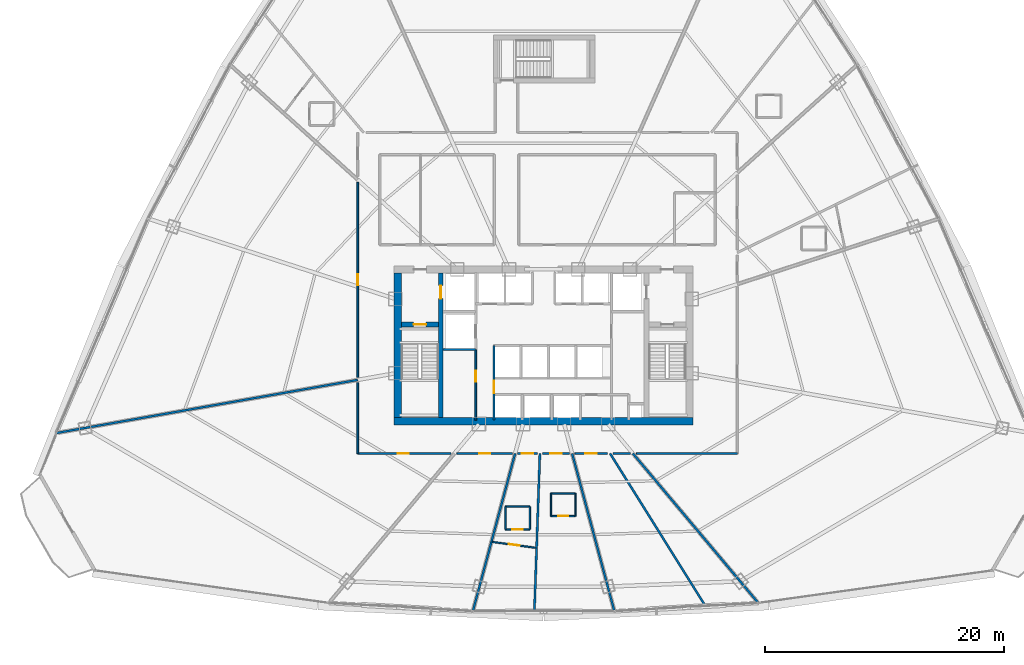
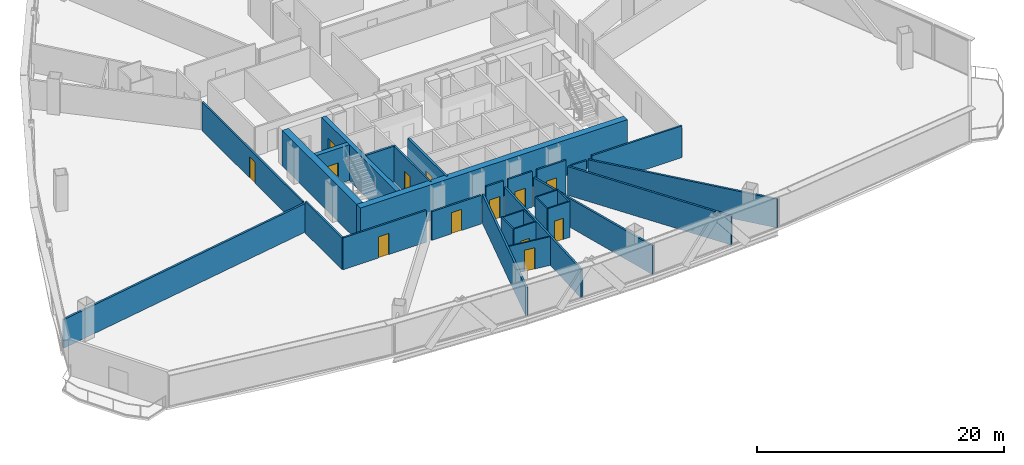
# One storey, part 29 of 37: 31 walls, 13 doors, 13 openings.
"""IFC4 building model written with IfcOpenShell, lengths in metres."""

from ifc_helpers import new_model, si_unit, direction, frame, frame_2d, origin, origin_with_axes, place, context, subcontext, project, spatial, rectangle, extrude, source, transform, mapped, material, layer, layer_set, type_object, element, fill, save


model = new_model("IFC4")

# Units and contexts
model_context = context("Model", 3, precision=1e-05, world=origin(), true_north=direction((0.0, 1.0)))
body_context = subcontext(model_context, "Body", "Model", "MODEL_VIEW")
ifc_project = project(units=[si_unit("LENGTHUNIT", "METRE"), si_unit("AREAUNIT", "SQUARE_METRE"), si_unit("VOLUMEUNIT", "CUBIC_METRE"), si_unit("PLANEANGLEUNIT", "RADIAN"), si_unit("MASSUNIT", "GRAM", prefix="KILO"), si_unit("THERMODYNAMICTEMPERATUREUNIT", "KELVIN"), si_unit("POWERUNIT", "WATT")], contexts=[model_context])

# Site, building, storey
site_placement = place(None, origin())
site = spatial("IfcSite", under=ifc_project, at=site_placement, CompositionType="ELEMENT")
building_placement = place(site_placement, origin())
building = spatial("IfcBuilding", under=site, at=building_placement, Name="Yunzhuo Pagoda Commons", CompositionType="ELEMENT")
storey_placement = place(building_placement, frame((0.0, 0.0, 84.97998046875)))
storey = spatial("IfcBuildingStorey", under=building, at=storey_placement, Name="L21", CompositionType="ELEMENT", Elevation=84.97998046875)

# Walls
ifc_material_1 = material(Name="Concrete C60", Category="concrete")
ifc_layer_1 = layer(ifc_material_1, 0.60009765625)
ifc_layer_set_1 = layer_set([ifc_layer_1], Name="Concrete C60")
wall_type_1 = type_object("IfcWallType", Name="W-C02 Mid Core Shear Wall 600", PredefinedType="SHEAR", material=ifc_layer_set_1)
wall_1_placement = place(storey_placement, frame((35.5, 27.5, 0.0), z_axis=(0.0, 0.0, 1.0), x_axis=(1.0, 0.0, 0.0)))
element("IfcWall", 1, at=wall_1_placement, inside=storey, type_object=wall_type_1, Name="L21 core shear wall S", PredefinedType="SHEAR", context=body_context, shape_type="SweptSolid", body=[
    extrude(rectangle(XDim=25.0, YDim=0.60009765625, at=frame_2d((12.5, 0.0))), origin(), (0.0, 0.0, 1.0), 3.5400390625),
])
wall_2_placement = place(storey_placement, frame((35.800048828125, 27.800048828125, 0.0), z_axis=(0.0, 0.0, 1.0), x_axis=(0.0, 1.0, 0.0)))
element("IfcWall", 2, at=wall_2_placement, inside=storey, type_object=wall_type_1, Name="L21 core shear wall W", PredefinedType="SHEAR", context=body_context, shape_type="SweptSolid", body=[
    extrude(rectangle(XDim=12.099853515625, YDim=0.60009765625, at=frame_2d((6.0498046875, 0.0))), origin(), (0.0, 0.0, 1.0), 3.5400390625),
])

# Wall, opening, door
ifc_material_2 = material(Name="Gypsum plasterboard on acoustic stud")
ifc_layer_2 = layer(ifc_material_2, 0.159912109375)
ifc_layer_set_2 = layer_set([ifc_layer_2], Name="Gypsum plasterboard on acoustic stud")
wall_type_2 = type_object("IfcWallType", Name="W-COR1 Tower Rated Corridor Wall 160", PredefinedType="PARTITIONING", material=ifc_layer_set_2)
wall_3_placement = place(storey_placement, frame((42.320068359375, 27.60009765625, 0.0), z_axis=(0.0, 0.0, 1.0), x_axis=(0.0, 1.0, 0.0)))
wall_3 = element("IfcWall", 3, at=wall_3_placement, inside=storey, type_object=wall_type_2, Name="L21 interior wall IW-L21-CSWE", PredefinedType="PARTITIONING", context=body_context, shape_type="SweptSolid", body=[
    extrude(rectangle(XDim=5.89990234375, YDim=0.159912109375, at=frame_2d((2.949951171875, 0.0))), origin(), (0.0, 0.0, 1.0), 3.5400390625),
])
opening_1_placement = place(wall_3_placement, frame((3.199951171875, 0.0, 0.0)))
opening_1 = element("IfcOpeningElement", 4, at=opening_1_placement, cuts=wall_3, Name="Opening D-11", PredefinedType="OPENING", context=body_context, shape_type="SweptSolid", body=[
    extrude(rectangle(XDim=0.93994140625, YDim=2.10009765625, at=frame_2d((0.469970703125, 1.050048828125))), frame((0.0, 0.08984375, 0.0), z_axis=(0.0, -1.0, 0.0), x_axis=(1.0, 0.0, 0.0)), (0.0, 0.0, 1.0), 0.179931640625),
])
ifc_material_3 = material(Name="Galvanized fire-resisting metal leaf")
door_type_1 = type_object("IfcDoorType", Name="D-11 Accessible Washroom Fire Door 940x2100", OperationType="NOTDEFINED", PredefinedType="DOOR", material=ifc_material_3)
shared_shape_1 = source(origin(), body_context, "Body", "SweptSolid", [
    extrude(rectangle(XDim=0.93994140625, YDim=2.10009765625, at=frame_2d((0.469970703125, 1.050048828125))), frame((0.0, 0.02490234375, 0.0), z_axis=(0.0, -1.0, 0.0), x_axis=(1.0, 0.0, 0.0)), (0.0, 0.0, 1.0), 0.050048828125),
])
door_1_placement = place(opening_1_placement, origin_with_axes())
door_1 = element("IfcDoor", 5, at=door_1_placement, inside=storey, type_object=door_type_1, Name="L21 core WC door", OperationType="SINGLE_SWING_LEFT", OverallHeight=2.10009765625, OverallWidth=0.93994140625, PredefinedType="DOOR", context=body_context, shape_type="MappedRepresentation", body=[
    mapped(shared_shape_1, transform((0.0, 0.0, 0.0), scale=1.0)),
])
fill(opening_1, door_1)

# Wall
wall_4_placement = place(storey_placement, frame((32.449951171875, 24.800048828125, 0.0), z_axis=(0.0, 0.0, 1.0), x_axis=(0.0, 1.0, 0.0)))
element("IfcWall", 6, at=wall_4_placement, inside=storey, type_object=wall_type_2, Name="L21 interior wall IW-L21-CWL01", PredefinedType="PARTITIONING", context=body_context, shape_type="SweptSolid", body=[
    extrude(rectangle(XDim=5.9345703125, YDim=0.159912109375, at=frame_2d((2.96728515625, 0.0))), origin(), (0.0, 0.0, 1.0), 3.14013671875),
])

# Wall, opening, door
wall_5_placement = place(storey_placement, frame((32.449951171875, 31.177978515625, 0.0), z_axis=(0.0, 0.0, 1.0), x_axis=(0.0, 1.0, 0.0)))
wall_5 = element("IfcWall", 7, at=wall_5_placement, inside=storey, type_object=wall_type_2, Name="L21 interior wall IW-L21-CWL02", PredefinedType="PARTITIONING", context=body_context, shape_type="SweptSolid", body=[
    extrude(rectangle(XDim=16.3037109375, YDim=0.159912109375, at=frame_2d((8.15185546875, 0.0))), origin(), (0.0, 0.0, 1.0), 2.840087890625),
])
opening_2_placement = place(wall_5_placement, frame((7.6767578125, 0.0, 0.0)))
opening_2 = element("IfcOpeningElement", 8, at=opening_2_placement, cuts=wall_5, Name="Opening D-06", PredefinedType="OPENING", context=body_context, shape_type="SweptSolid", body=[
    extrude(rectangle(XDim=0.949951171875, YDim=2.10009765625, at=frame_2d((0.47509765625, 1.050048828125))), frame((0.0, 0.08984375, 0.0), z_axis=(0.0, -1.0, 0.0), x_axis=(1.0, 0.0, 0.0)), (0.0, 0.0, 1.0), 0.179931640625),
])
door_type_2 = type_object("IfcDoorType", Name="D-06 Co-Living Suite Entrance Fire Door 950x2100", OperationType="NOTDEFINED", PredefinedType="DOOR", material=ifc_material_3)
shared_shape_2 = source(origin(), body_context, "Body", "SweptSolid", [
    extrude(rectangle(XDim=0.949951171875, YDim=2.10009765625, at=frame_2d((0.47509765625, 1.050048828125))), frame((0.0, 0.02490234375, 0.0), z_axis=(0.0, -1.0, 0.0), x_axis=(1.0, 0.0, 0.0)), (0.0, 0.0, 1.0), 0.050048828125),
])
door_2_placement = place(opening_2_placement, origin_with_axes())
door_2 = element("IfcDoor", 9, at=door_2_placement, inside=storey, type_object=door_type_2, Name="L21 Shared Resident Kitchen and Pantry door", OperationType="SINGLE_SWING_RIGHT", OverallHeight=2.10009765625, OverallWidth=0.949951171875, PredefinedType="DOOR", context=body_context, shape_type="MappedRepresentation", body=[
    mapped(shared_shape_2, transform((0.0, 0.0, 0.0), scale=1.0)),
])
fill(opening_2, door_2)

# Walls
wall_6_placement = place(storey_placement, frame((64.199951171875, 24.800048828125, 0.0), z_axis=(0.0, 0.0, 1.0), x_axis=(-1.0, 0.0, 0.0)))
element("IfcWall", 10, at=wall_6_placement, inside=storey, type_object=wall_type_2, Name="L21 interior wall IW-L21-CWL15", PredefinedType="PARTITIONING", context=body_context, shape_type="SweptSolid", body=[
    extrude(rectangle(XDim=8.44482421875, YDim=0.159912109375, at=frame_2d((4.222412109375, 0.0))), origin(), (0.0, 0.0, 1.0), 3.14013671875),
])
wall_7_placement = place(storey_placement, frame((55.248046875, 24.800048828125, 0.0), z_axis=(0.0, 0.0, 1.0), x_axis=(-1.0, 0.0, 0.0)))
element("IfcWall", 11, at=wall_7_placement, inside=storey, type_object=wall_type_2, Name="L21 interior wall IW-L21-CWL16", PredefinedType="PARTITIONING", context=body_context, shape_type="SweptSolid", body=[
    extrude(rectangle(XDim=1.42724609375, YDim=0.159912109375, at=frame_2d((0.713623046875, 0.0))), origin(), (0.0, 0.0, 1.0), 2.840087890625),
])

# Wall, opening, door
wall_8_placement = place(storey_placement, frame((53.341552734375, 24.800048828125, 0.0), z_axis=(0.0, 0.0, 1.0), x_axis=(-1.0, 0.0, 0.0)))
wall_8 = element("IfcWall", 12, at=wall_8_placement, inside=storey, type_object=wall_type_2, Name="L21 interior wall IW-L21-CWL17", PredefinedType="PARTITIONING", context=body_context, shape_type="SweptSolid", body=[
    extrude(rectangle(XDim=2.72900390625, YDim=0.159912109375, at=frame_2d((1.364501953125, 0.0))), origin(), (0.0, 0.0, 1.0), 3.5400390625),
])
opening_3_placement = place(wall_8_placement, frame((0.8935546875, 0.0, 0.0)))
opening_3 = element("IfcOpeningElement", 13, at=opening_3_placement, cuts=wall_8, Name="Opening D-06", PredefinedType="OPENING", context=body_context, shape_type="SweptSolid", body=[
    extrude(rectangle(XDim=0.949951171875, YDim=2.10009765625, at=frame_2d((0.47509765625, 1.050048828125))), frame((0.0, 0.08984375, 0.0), z_axis=(0.0, -1.0, 0.0), x_axis=(1.0, 0.0, 0.0)), (0.0, 0.0, 1.0), 0.179931640625),
])
door_3_placement = place(opening_3_placement, origin_with_axes())
door_3 = element("IfcDoor", 14, at=door_3_placement, inside=storey, type_object=door_type_2, Name="L21 unit 13 entrance door", OperationType="SINGLE_SWING_LEFT", OverallHeight=2.10009765625, OverallWidth=0.949951171875, PredefinedType="DOOR", context=body_context, shape_type="MappedRepresentation", body=[
    mapped(shared_shape_2, transform((0.0, 0.0, 0.0), scale=1.0)),
])
fill(opening_3, door_3)

wall_9_placement = place(storey_placement, frame((50.164794921875, 24.800048828125, 0.0), z_axis=(0.0, 0.0, 1.0), x_axis=(-1.0, 0.0, 0.0)))
wall_9 = element("IfcWall", 15, at=wall_9_placement, inside=storey, type_object=wall_type_2, Name="L21 interior wall IW-L21-CWL18", PredefinedType="PARTITIONING", context=body_context, shape_type="SweptSolid", body=[
    extrude(rectangle(XDim=2.255859375, YDim=0.159912109375, at=frame_2d((1.1279296875, 0.0))), origin(), (0.0, 0.0, 1.0), 3.5400390625),
])
opening_4_placement = place(wall_9_placement, frame((0.65283203125, 0.0, 0.0)))
opening_4 = element("IfcOpeningElement", 16, at=opening_4_placement, cuts=wall_9, Name="Opening D-06", PredefinedType="OPENING", context=body_context, shape_type="SweptSolid", body=[
    extrude(rectangle(XDim=0.949951171875, YDim=2.10009765625, at=frame_2d((0.47509765625, 1.050048828125))), frame((0.0, 0.08984375, 0.0), z_axis=(0.0, -1.0, 0.0), x_axis=(1.0, 0.0, 0.0)), (0.0, 0.0, 1.0), 0.179931640625),
])
door_4_placement = place(opening_4_placement, origin_with_axes())
door_4 = element("IfcDoor", 17, at=door_4_placement, inside=storey, type_object=door_type_2, Name="L21 unit 12 entrance door", OperationType="SINGLE_SWING_RIGHT", OverallHeight=2.10009765625, OverallWidth=0.949951171875, PredefinedType="DOOR", context=body_context, shape_type="MappedRepresentation", body=[
    mapped(shared_shape_2, transform((0.0, 0.0, 0.0), scale=1.0)),
])
fill(opening_4, door_4)

wall_10_placement = place(storey_placement, frame((47.468994140625, 24.800048828125, 0.0), z_axis=(0.0, 0.0, 1.0), x_axis=(-1.0, 0.0, 0.0)))
wall_10 = element("IfcWall", 18, at=wall_10_placement, inside=storey, type_object=wall_type_2, Name="L21 interior wall IW-L21-CWL19", PredefinedType="PARTITIONING", context=body_context, shape_type="SweptSolid", body=[
    extrude(rectangle(XDim=1.6337890625, YDim=0.159912109375, at=frame_2d((0.81689453125, 0.0))), origin(), (0.0, 0.0, 1.0), 3.5400390625),
])
opening_5_placement = place(wall_10_placement, frame((0.341796875, 0.0, 0.0)))
opening_5 = element("IfcOpeningElement", 19, at=opening_5_placement, cuts=wall_10, Name="Opening D-06", PredefinedType="OPENING", context=body_context, shape_type="SweptSolid", body=[
    extrude(rectangle(XDim=0.949951171875, YDim=2.10009765625, at=frame_2d((0.47509765625, 1.050048828125))), frame((0.0, 0.08984375, 0.0), z_axis=(0.0, -1.0, 0.0), x_axis=(1.0, 0.0, 0.0)), (0.0, 0.0, 1.0), 0.179931640625),
])
door_5_placement = place(opening_5_placement, origin_with_axes())
door_5 = element("IfcDoor", 20, at=door_5_placement, inside=storey, type_object=door_type_2, Name="L21 unit 11 entrance door", OperationType="SINGLE_SWING_LEFT", OverallHeight=2.10009765625, OverallWidth=0.949951171875, PredefinedType="DOOR", context=body_context, shape_type="MappedRepresentation", body=[
    mapped(shared_shape_2, transform((0.0, 0.0, 0.0), scale=1.0)),
])
fill(opening_5, door_5)

wall_11_placement = place(storey_placement, frame((45.387451171875, 24.800048828125, 0.0), z_axis=(0.0, 0.0, 1.0), x_axis=(-1.0, 0.0, 0.0)))
wall_11 = element("IfcWall", 21, at=wall_11_placement, inside=storey, type_object=wall_type_2, Name="L21 interior wall IW-L21-CWL20", PredefinedType="PARTITIONING", context=body_context, shape_type="SweptSolid", body=[
    extrude(rectangle(XDim=4.635498046875, YDim=0.159912109375, at=frame_2d((2.31787109375, 0.0))), origin(), (0.0, 0.0, 1.0), 2.840087890625),
])
opening_6_placement = place(wall_11_placement, frame((1.8388671875, 0.0, 0.0)))
opening_6 = element("IfcOpeningElement", 22, at=opening_6_placement, cuts=wall_11, Name="Opening D-06", PredefinedType="OPENING", context=body_context, shape_type="SweptSolid", body=[
    extrude(rectangle(XDim=0.949951171875, YDim=2.10009765625, at=frame_2d((0.47509765625, 1.050048828125))), frame((0.0, 0.08984375, 0.0), z_axis=(0.0, -1.0, 0.0), x_axis=(1.0, 0.0, 0.0)), (0.0, 0.0, 1.0), 0.179931640625),
])
door_6_placement = place(opening_6_placement, origin_with_axes())
door_6 = element("IfcDoor", 23, at=door_6_placement, inside=storey, type_object=door_type_2, Name="L21 unit 10 entrance door", OperationType="SINGLE_SWING_RIGHT", OverallHeight=2.10009765625, OverallWidth=0.949951171875, PredefinedType="DOOR", context=body_context, shape_type="MappedRepresentation", body=[
    mapped(shared_shape_2, transform((0.0, 0.0, 0.0), scale=1.0)),
])
fill(opening_6, door_6)

wall_12_placement = place(storey_placement, frame((40.244873046875, 24.800048828125, 0.0), z_axis=(0.0, 0.0, 1.0), x_axis=(-1.0, 0.0, 0.0)))
wall_12 = element("IfcWall", 24, at=wall_12_placement, inside=storey, type_object=wall_type_2, Name="L21 interior wall IW-L21-CWL21", PredefinedType="PARTITIONING", context=body_context, shape_type="SweptSolid", body=[
    extrude(rectangle(XDim=7.794921875, YDim=0.159912109375, at=frame_2d((3.8974609375, 0.0))), origin(), (0.0, 0.0, 1.0), 3.14013671875),
])
opening_7_placement = place(wall_12_placement, frame((3.5087890625, 0.0, 0.0)))
opening_7 = element("IfcOpeningElement", 25, at=opening_7_placement, cuts=wall_12, Name="Opening D-06", PredefinedType="OPENING", context=body_context, shape_type="SweptSolid", body=[
    extrude(rectangle(XDim=0.949951171875, YDim=2.10009765625, at=frame_2d((0.47509765625, 1.050048828125))), frame((0.0, 0.08984375, 0.0), z_axis=(0.0, -1.0, 0.0), x_axis=(1.0, 0.0, 0.0)), (0.0, 0.0, 1.0), 0.179931640625),
])
door_7_placement = place(opening_7_placement, origin_with_axes())
door_7 = element("IfcDoor", 26, at=door_7_placement, inside=storey, type_object=door_type_2, Name="L21 unit 09 entrance door", OperationType="SINGLE_SWING_LEFT", OverallHeight=2.10009765625, OverallWidth=0.949951171875, PredefinedType="DOOR", context=body_context, shape_type="MappedRepresentation", body=[
    mapped(shared_shape_2, transform((0.0, 0.0, 0.0), scale=1.0)),
])
fill(opening_7, door_7)

ifc_layer_3 = layer(ifc_material_2, 0.1201171875)
ifc_layer_set_3 = layer_set([ifc_layer_3], Name="Gypsum plasterboard on acoustic stud")
wall_type_3 = type_object("IfcWallType", Name="W-PRT1 Suite & Bathroom Partition 120", PredefinedType="PARTITIONING", material=ifc_layer_set_3)
wall_13_placement = place(storey_placement, frame((44.7958984375, 18.4609375, 0.0), z_axis=(0.0, 0.0, 1.0), x_axis=(1.0, 0.0, 0.0)))
wall_13 = element("IfcWall", 27, at=wall_13_placement, inside=storey, type_object=wall_type_3, Name="L21 interior wall IW-L21-B11S", PredefinedType="PARTITIONING", context=body_context, shape_type="SweptSolid", body=[
    extrude(rectangle(XDim=2.050048828125, YDim=0.1201171875, at=frame_2d((1.02490234375, 0.0))), origin(), (0.0, 0.0, 1.0), 3.5400390625),
])
opening_8_placement = place(wall_13_placement, frame((0.60009765625, 0.0, 0.0)))
opening_8 = element("IfcOpeningElement", 28, at=opening_8_placement, cuts=wall_13, Name="Opening D-05", PredefinedType="OPENING", context=body_context, shape_type="SweptSolid", body=[
    extrude(rectangle(XDim=0.85009765625, YDim=2.10009765625, at=frame_2d((0.425048828125, 1.050048828125))), frame((0.0, 0.070068359375, 0.0), z_axis=(0.0, -1.0, 0.0), x_axis=(1.0, 0.0, 0.0)), (0.0, 0.0, 1.0), 0.14013671875),
])
ifc_material_4 = material(Name="Powder-coated aluminium and timber acoustic leaf", Category="wood")
door_type_3 = type_object("IfcDoorType", Name="D-05 En-Suite Bathroom Door 850x2100", OperationType="NOTDEFINED", PredefinedType="DOOR", material=ifc_material_4)
shared_shape_3 = source(origin(), body_context, "Body", "SweptSolid", [
    extrude(rectangle(XDim=0.85009765625, YDim=2.10009765625, at=frame_2d((0.425048828125, 1.050048828125))), frame((0.0, 0.02490234375, 0.0), z_axis=(0.0, -1.0, 0.0), x_axis=(1.0, 0.0, 0.0)), (0.0, 0.0, 1.0), 0.050048828125),
])
door_8_placement = place(opening_8_placement, frame((0.85009765625, 0.0, 0.0), z_axis=(0.0, 0.0, 1.0), x_axis=(-1.0, 0.0, 0.0)))
door_8 = element("IfcDoor", 29, at=door_8_placement, inside=storey, type_object=door_type_3, Name="L21 unit 11 bathroom door", OperationType="SINGLE_SWING_LEFT", OverallHeight=2.10009765625, OverallWidth=0.85009765625, PredefinedType="DOOR", context=body_context, shape_type="MappedRepresentation", body=[
    mapped(shared_shape_3, transform((0.0, 0.0, 0.0), scale=1.0)),
])
fill(opening_8, door_8)

# Walls
wall_14_placement = place(storey_placement, frame((46.845947265625, 18.4609375, 0.0), z_axis=(0.0, 0.0, 1.0), x_axis=(0.0, 1.0, 0.0)))
element("IfcWall", 30, at=wall_14_placement, inside=storey, type_object=wall_type_3, Name="L21 interior wall IW-L21-B11E", PredefinedType="PARTITIONING", context=body_context, shape_type="SweptSolid", body=[
    extrude(rectangle(XDim=1.900146484375, YDim=0.1201171875, at=frame_2d((0.9501953125, 0.0))), origin(), (0.0, 0.0, 1.0), 3.5400390625),
])
wall_15_placement = place(storey_placement, frame((46.845947265625, 20.361083984375, 0.0), z_axis=(0.0, 0.0, 1.0), x_axis=(-1.0, 0.0, 0.0)))
element("IfcWall", 31, at=wall_15_placement, inside=storey, type_object=wall_type_3, Name="L21 interior wall IW-L21-B11N", PredefinedType="PARTITIONING", context=body_context, shape_type="SweptSolid", body=[
    extrude(rectangle(XDim=2.050048828125, YDim=0.1201171875, at=frame_2d((1.02490234375, 0.0))), origin(), (0.0, 0.0, 1.0), 3.5400390625),
])
wall_16_placement = place(storey_placement, frame((44.7958984375, 20.361083984375, 0.0), z_axis=(0.0, 0.0, 1.0), x_axis=(0.0, -1.0, 0.0)))
element("IfcWall", 32, at=wall_16_placement, inside=storey, type_object=wall_type_3, Name="L21 interior wall IW-L21-B11W", PredefinedType="PARTITIONING", context=body_context, shape_type="SweptSolid", body=[
    extrude(rectangle(XDim=1.900146484375, YDim=0.1201171875, at=frame_2d((0.9501953125, 0.0))), origin(), (0.0, 0.0, 1.0), 3.5400390625),
])

# Wall, opening, door
wall_17_placement = place(storey_placement, frame((43.69580078125, 17.405029296875, 0.0), z_axis=(0.0, 0.0, 1.0), x_axis=(0.99099005791, -0.133935451329, 0.0)))
wall_17 = element("IfcWall", 33, at=wall_17_placement, inside=storey, type_object=wall_type_3, Name="L21 interior wall IW-L21-CLB11", PredefinedType="PARTITIONING", context=body_context, shape_type="SweptSolid", body=[
    extrude(rectangle(XDim=3.691162109375, YDim=0.1201171875, at=frame_2d((1.845703125, 0.0))), origin(), (0.0, 0.0, 1.0), 2.840087890625),
])
opening_9_placement = place(wall_17_placement, frame((1.385498046875, 0.0, 0.0)))
opening_9 = element("IfcOpeningElement", 34, at=opening_9_placement, cuts=wall_17, Name="Opening D-04", PredefinedType="OPENING", context=body_context, shape_type="SweptSolid", body=[
    extrude(rectangle(XDim=0.919921875, YDim=2.10009765625, at=frame_2d((0.4599609375, 1.050048828125))), frame((0.0, 0.070068359375, 0.0), z_axis=(0.0, -1.0, 0.0), x_axis=(1.0, 0.0, 0.0)), (0.0, 0.0, 1.0), 0.14013671875),
])
door_type_4 = type_object("IfcDoorType", Name="D-04 Bedroom & Study Interior Door 920x2100", OperationType="NOTDEFINED", PredefinedType="DOOR", material=ifc_material_4)
shared_shape_4 = source(origin(), body_context, "Body", "SweptSolid", [
    extrude(rectangle(XDim=0.919921875, YDim=2.10009765625, at=frame_2d((0.4599609375, 1.050048828125))), frame((0.0, 0.02490234375, 0.0), z_axis=(0.0, -1.0, 0.0), x_axis=(1.0, 0.0, 0.0)), (0.0, 0.0, 1.0), 0.050048828125),
])
door_9_placement = place(opening_9_placement, origin_with_axes())
door_9 = element("IfcDoor", 35, at=door_9_placement, inside=storey, type_object=door_type_4, Name="L21 suite 11 bedroom door", OperationType="SINGLE_SWING_LEFT", OverallHeight=2.10009765625, OverallWidth=0.919921875, PredefinedType="DOOR", context=body_context, shape_type="MappedRepresentation", body=[
    mapped(shared_shape_4, transform((0.0, 0.0, 0.0), scale=1.0)),
])
fill(opening_9, door_9)

wall_18_placement = place(storey_placement, frame((48.615966796875, 19.56591796875, 0.0), z_axis=(0.0, 0.0, 1.0), x_axis=(1.0, 0.0, 0.0)))
wall_18 = element("IfcWall", 36, at=wall_18_placement, inside=storey, type_object=wall_type_3, Name="L21 interior wall IW-L21-B12S", PredefinedType="PARTITIONING", context=body_context, shape_type="SweptSolid", body=[
    extrude(rectangle(XDim=2.050048828125, YDim=0.1201171875, at=frame_2d((1.02490234375, 0.0))), origin(), (0.0, 0.0, 1.0), 3.5400390625),
])
opening_10_placement = place(wall_18_placement, frame((0.60009765625, 0.0, 0.0)))
opening_10 = element("IfcOpeningElement", 37, at=opening_10_placement, cuts=wall_18, Name="Opening D-05", PredefinedType="OPENING", context=body_context, shape_type="SweptSolid", body=[
    extrude(rectangle(XDim=0.85009765625, YDim=2.10009765625, at=frame_2d((0.425048828125, 1.050048828125))), frame((0.0, 0.070068359375, 0.0), z_axis=(0.0, -1.0, 0.0), x_axis=(1.0, 0.0, 0.0)), (0.0, 0.0, 1.0), 0.14013671875),
])
door_10_placement = place(opening_10_placement, frame((0.85009765625, 0.0, 0.0), z_axis=(0.0, 0.0, 1.0), x_axis=(-1.0, 0.0, 0.0)))
door_10 = element("IfcDoor", 38, at=door_10_placement, inside=storey, type_object=door_type_3, Name="L21 unit 12 bathroom door", OperationType="SINGLE_SWING_RIGHT", OverallHeight=2.10009765625, OverallWidth=0.85009765625, PredefinedType="DOOR", context=body_context, shape_type="MappedRepresentation", body=[
    mapped(shared_shape_3, transform((0.0, 0.0, 0.0), scale=1.0)),
])
fill(opening_10, door_10)

# Walls
wall_19_placement = place(storey_placement, frame((50.666015625, 19.56591796875, 0.0), z_axis=(0.0, 0.0, 1.0), x_axis=(0.0, 1.0, 0.0)))
element("IfcWall", 39, at=wall_19_placement, inside=storey, type_object=wall_type_3, Name="L21 interior wall IW-L21-B12E", PredefinedType="PARTITIONING", context=body_context, shape_type="SweptSolid", body=[
    extrude(rectangle(XDim=1.900146484375, YDim=0.1201171875, at=frame_2d((0.9501953125, 0.0))), origin(), (0.0, 0.0, 1.0), 3.5400390625),
])
wall_20_placement = place(storey_placement, frame((50.666015625, 21.466064453125, 0.0), z_axis=(0.0, 0.0, 1.0), x_axis=(-1.0, 0.0, 0.0)))
element("IfcWall", 40, at=wall_20_placement, inside=storey, type_object=wall_type_3, Name="L21 interior wall IW-L21-B12N", PredefinedType="PARTITIONING", context=body_context, shape_type="SweptSolid", body=[
    extrude(rectangle(XDim=2.050048828125, YDim=0.1201171875, at=frame_2d((1.02490234375, 0.0))), origin(), (0.0, 0.0, 1.0), 3.5400390625),
])
wall_21_placement = place(storey_placement, frame((48.615966796875, 21.466064453125, 0.0), z_axis=(0.0, 0.0, 1.0), x_axis=(0.0, -1.0, 0.0)))
element("IfcWall", 41, at=wall_21_placement, inside=storey, type_object=wall_type_3, Name="L21 interior wall IW-L21-B12W", PredefinedType="PARTITIONING", context=body_context, shape_type="SweptSolid", body=[
    extrude(rectangle(XDim=1.900146484375, YDim=0.1201171875, at=frame_2d((0.9501953125, 0.0))), origin(), (0.0, 0.0, 1.0), 3.5400390625),
])
ifc_layer_4 = layer(ifc_material_2, 0.179931640625)
ifc_layer_set_4 = layer_set([ifc_layer_4], Name="Gypsum plasterboard on acoustic stud")
wall_type_4 = type_object("IfcWallType", Name="W-PRT2 Acoustic Unit Demising Wall 180", PredefinedType="PARTITIONING", material=ifc_layer_set_4)
wall_22_placement = place(storey_placement, frame((32.449951171875, 30.9580078125, 0.0), z_axis=(0.0, 0.0, 1.0), x_axis=(-0.984808048641, -0.173646501066, 0.0)))
element("IfcWall", 42, at=wall_22_placement, inside=storey, type_object=wall_type_4, Name="L21 interior wall IW-L21-RAD09", PredefinedType="PARTITIONING", context=body_context, shape_type="SweptSolid", body=[
    extrude(rectangle(XDim=25.58154296875, YDim=0.179931640625, at=frame_2d((12.790771484375, 0.0))), origin(), (0.0, 0.0, 1.0), 2.840087890625),
])
wall_23_placement = place(storey_placement, frame((45.615234375, 24.800048828125, 0.0), z_axis=(0.0, 0.0, 1.0), x_axis=(-0.25881675816, -0.965926439071, 0.0)))
element("IfcWall", 43, at=wall_23_placement, inside=storey, type_object=wall_type_4, Name="L21 interior wall IW-L21-RAD11", PredefinedType="PARTITIONING", context=body_context, shape_type="SweptSolid", body=[
    extrude(rectangle(XDim=13.66455078125, YDim=0.179931640625, at=frame_2d((6.832275390625, 0.0))), origin(), (0.0, 0.0, 1.0), 2.840087890625),
])
wall_24_placement = place(storey_placement, frame((47.689208984375, 24.800048828125, 0.0), z_axis=(0.0, 0.0, 1.0), x_axis=(-0.034900944933, -0.999390776445, 0.0)))
element("IfcWall", 44, at=wall_24_placement, inside=storey, type_object=wall_type_4, Name="L21 interior wall IW-L21-RAD12", PredefinedType="PARTITIONING", context=body_context, shape_type="SweptSolid", body=[
    extrude(rectangle(XDim=13.20703125, YDim=0.179931640625, at=frame_2d((6.603515625, 0.0))), origin(), (0.0, 0.0, 1.0), 2.840087890625),
])
wall_25_placement = place(storey_placement, frame((50.384765625, 24.800048828125, 0.0), z_axis=(0.0, 0.0, 1.0), x_axis=(0.25881675816, -0.965926439071, 0.0)))
element("IfcWall", 45, at=wall_25_placement, inside=storey, type_object=wall_type_4, Name="L21 interior wall IW-L21-RAD13", PredefinedType="PARTITIONING", context=body_context, shape_type="SweptSolid", body=[
    extrude(rectangle(XDim=13.66455078125, YDim=0.179931640625, at=frame_2d((6.832275390625, 0.0))), origin(), (0.0, 0.0, 1.0), 2.840087890625),
])
wall_26_placement = place(storey_placement, frame((53.561279296875, 24.800048828125, 0.0), z_axis=(0.0, 0.0, 1.0), x_axis=(0.529927477017, -0.848042964184, 0.0)))
element("IfcWall", 46, at=wall_26_placement, inside=storey, type_object=wall_type_4, Name="L21 interior wall IW-L21-RAD14", PredefinedType="PARTITIONING", context=body_context, shape_type="SweptSolid", body=[
    extrude(rectangle(XDim=15.047607421875, YDim=0.179931640625, at=frame_2d((7.52392578125, 0.0))), origin(), (0.0, 0.0, 1.0), 2.840087890625),
])
wall_27_placement = place(storey_placement, frame((55.468017578125, 24.800048828125, 0.0), z_axis=(0.0, 0.0, 1.0), x_axis=(0.642790086939, -0.76604236445, 0.0)))
element("IfcWall", 47, at=wall_27_placement, inside=storey, type_object=wall_type_4, Name="L21 interior wall IW-L21-RAD15", PredefinedType="PARTITIONING", context=body_context, shape_type="SweptSolid", body=[
    extrude(rectangle(XDim=16.325927734375, YDim=0.179931640625, at=frame_2d((8.1630859375, 0.0))), origin(), (0.0, 0.0, 1.0), 2.840087890625),
])

# Wall, opening, door
ifc_layer_5 = layer(ifc_material_1, 0.39990234375)
ifc_layer_set_5 = layer_set([ifc_layer_5], Name="Concrete C60")
wall_type_5 = type_object("IfcWallType", Name="W-S01 Internal Core Shear Web 400", PredefinedType="SHEAR", material=ifc_layer_set_5)
wall_28_placement = place(storey_placement, frame((39.39990234375, 27.800048828125, 0.0), z_axis=(0.0, 0.0, 1.0), x_axis=(0.0, 1.0, 0.0)))
wall_28 = element("IfcWall", 48, at=wall_28_placement, inside=storey, type_object=wall_type_5, Name="L21 core shear wall WEBW", PredefinedType="SHEAR", context=body_context, shape_type="SweptSolid", body=[
    extrude(rectangle(XDim=12.099853515625, YDim=0.39990234375, at=frame_2d((6.0498046875, 0.0))), origin(), (0.0, 0.0, 1.0), 3.5400390625),
])
opening_11_placement = place(wall_28_placement, frame((9.949951171875, 0.0, 0.0)))
opening_11 = element("IfcOpeningElement", 49, at=opening_11_placement, cuts=wall_28, Name="Opening LD-01", PredefinedType="OPENING", context=body_context, shape_type="SweptSolid", body=[
    extrude(rectangle(XDim=1.10009765625, YDim=2.10009765625, at=frame_2d((0.550048828125, 1.050048828125))), frame((0.0, 0.2099609375, 0.0), z_axis=(0.0, -1.0, 0.0), x_axis=(1.0, 0.0, 0.0)), (0.0, 0.0, 1.0), 0.419921875),
])
door_type_5 = type_object("IfcDoorType", Name="LD-01 Firefighting Lift Landing Door 1100x2100", OperationType="DOUBLE_DOOR_SLIDING", PredefinedType="DOOR", material=ifc_material_3)
shared_shape_5 = source(origin(), body_context, "Body", "SweptSolid", [
    extrude(rectangle(XDim=1.10009765625, YDim=2.10009765625, at=frame_2d((0.550048828125, 1.050048828125))), frame((0.0, 0.02490234375, 0.0), z_axis=(0.0, -1.0, 0.0), x_axis=(1.0, 0.0, 0.0)), (0.0, 0.0, 1.0), 0.050048828125),
])
door_11_placement = place(opening_11_placement, frame((1.10009765625, 0.0, 0.0), z_axis=(0.0, 0.0, 1.0), x_axis=(-1.0, 0.0, 0.0)))
door_11 = element("IfcDoor", 50, at=door_11_placement, inside=storey, type_object=door_type_5, Name="L21 Firefighting lift FL-1 landing door", OperationType="DOUBLE_DOOR_SLIDING", OverallHeight=2.10009765625, OverallWidth=1.10009765625, PredefinedType="DOOR", context=body_context, shape_type="MappedRepresentation", body=[
    mapped(shared_shape_5, transform((0.0, 0.0, 0.0), scale=1.0)),
])
fill(opening_11, door_11)

wall_29_placement = place(storey_placement, frame((36.10009765625, 35.60009765625, 0.0), z_axis=(0.0, 0.0, 1.0), x_axis=(1.0, 0.0, 0.0)))
wall_29 = element("IfcWall", 51, at=wall_29_placement, inside=storey, type_object=wall_type_5, Name="L21 core shear wall STW", PredefinedType="SHEAR", context=body_context, shape_type="SweptSolid", body=[
    extrude(rectangle(XDim=3.099853515625, YDim=0.39990234375, at=frame_2d((1.5498046875, 0.0))), origin(), (0.0, 0.0, 1.0), 3.5400390625),
])
opening_12_placement = place(wall_29_placement, frame((1.02001953125, 0.0, 0.0)))
opening_12 = element("IfcOpeningElement", 52, at=opening_12_placement, cuts=wall_29, Name="Opening D-01", PredefinedType="OPENING", context=body_context, shape_type="SweptSolid", body=[
    extrude(rectangle(XDim=1.050048828125, YDim=2.10009765625, at=frame_2d((0.52490234375, 1.050048828125))), frame((0.0, 0.2099609375, 0.0), z_axis=(0.0, -1.0, 0.0), x_axis=(1.0, 0.0, 0.0)), (0.0, 0.0, 1.0), 0.419921875),
])
door_type_6 = type_object("IfcDoorType", Name="D-01 Smokeproof Stair Fire Door 1050x2100", OperationType="NOTDEFINED", PredefinedType="DOOR", material=ifc_material_3)
shared_shape_6 = source(origin(), body_context, "Body", "SweptSolid", [
    extrude(rectangle(XDim=1.050048828125, YDim=2.10009765625, at=frame_2d((0.52490234375, 1.050048828125))), frame((0.0, 0.02490234375, 0.0), z_axis=(0.0, -1.0, 0.0), x_axis=(1.0, 0.0, 0.0)), (0.0, 0.0, 1.0), 0.050048828125),
])
door_12_placement = place(opening_12_placement, frame((1.050048828125, 0.0, 0.0), z_axis=(0.0, 0.0, 1.0), x_axis=(-1.0, 0.0, 0.0)))
door_12 = element("IfcDoor", 53, at=door_12_placement, inside=storey, type_object=door_type_6, Name="L21 Stair ST1 fire door", OperationType="SINGLE_SWING_LEFT", OverallHeight=2.10009765625, OverallWidth=1.050048828125, PredefinedType="DOOR", context=body_context, shape_type="MappedRepresentation", body=[
    mapped(shared_shape_6, transform((0.0, 0.0, 0.0), scale=1.0)),
])
fill(opening_12, door_12)

# Wall
ifc_material_5 = material(Name="Concrete C40", Category="concrete")
ifc_layer_6 = layer(ifc_material_5, 0.199951171875)
ifc_layer_set_6 = layer_set([ifc_layer_6], Name="Concrete C40")
wall_type_6 = type_object("IfcWallType", Name="W-SHF Shaft & Stair Enclosure Wall 200", PredefinedType="SOLIDWALL", material=ifc_layer_set_6)
wall_30_placement = place(storey_placement, frame((39.60009765625, 33.5, 0.0), z_axis=(0.0, 0.0, 1.0), x_axis=(1.0, 0.0, 0.0)))
element("IfcWall", 54, at=wall_30_placement, inside=storey, type_object=wall_type_6, Name="L21 interior wall IW-L21-SL1S", PredefinedType="SOLIDWALL", context=body_context, shape_type="SweptSolid", body=[
    extrude(rectangle(XDim=2.719970703125, YDim=0.199951171875, at=frame_2d((1.35986328125, 0.0))), origin(), (0.0, 0.0, 1.0), 3.5400390625),
])

# Wall, opening, door
wall_31_placement = place(storey_placement, frame((43.85009765625, 27.60009765625, 0.0), z_axis=(0.0, 0.0, 1.0), x_axis=(0.0, 1.0, 0.0)))
wall_31 = element("IfcWall", 55, at=wall_31_placement, inside=storey, type_object=wall_type_6, Name="L21 interior wall IW-L21-PLMW", PredefinedType="SOLIDWALL", context=body_context, shape_type="SweptSolid", body=[
    extrude(rectangle(XDim=6.219970703125, YDim=0.199951171875, at=frame_2d((3.10986328125, 0.0))), origin(), (0.0, 0.0, 1.0), 3.5400390625),
])
opening_13_placement = place(wall_31_placement, frame((2.25, 0.0, 0.0)))
opening_13 = element("IfcOpeningElement", 56, at=opening_13_placement, cuts=wall_31, Name="Opening D-02", PredefinedType="OPENING", context=body_context, shape_type="SweptSolid", body=[
    extrude(rectangle(XDim=1.050048828125, YDim=2.10009765625, at=frame_2d((0.52490234375, 1.050048828125))), frame((0.0, 0.10986328125, 0.0), z_axis=(0.0, -1.0, 0.0), x_axis=(1.0, 0.0, 0.0)), (0.0, 0.0, 1.0), 0.219970703125),
])
door_type_7 = type_object("IfcDoorType", Name="D-02 Firefighting Lobby & Refuge Fire Door 1050x2100", OperationType="NOTDEFINED", PredefinedType="DOOR", material=ifc_material_3)
door_13_placement = place(opening_13_placement, frame((1.050048828125, 0.0, 0.0), z_axis=(0.0, 0.0, 1.0), x_axis=(-1.0, 0.0, 0.0)))
door_13 = element("IfcDoor", 57, at=door_13_placement, inside=storey, type_object=door_type_7, Name="L21 High-bank hall west door", OperationType="SINGLE_SWING_LEFT", OverallHeight=2.10009765625, OverallWidth=1.050048828125, PredefinedType="DOOR", context=body_context, shape_type="MappedRepresentation", body=[
    mapped(shared_shape_6, transform((0.0, 0.0, 0.0), scale=1.0)),
])
fill(opening_13, door_13)

save(model, "model.ifc")
